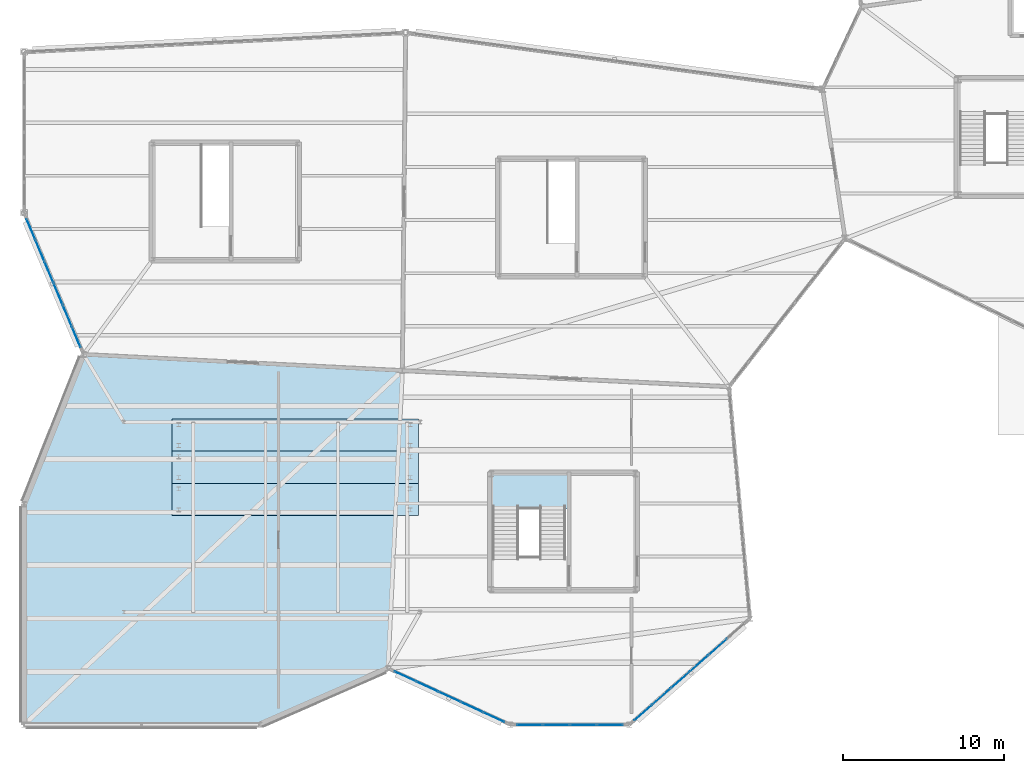
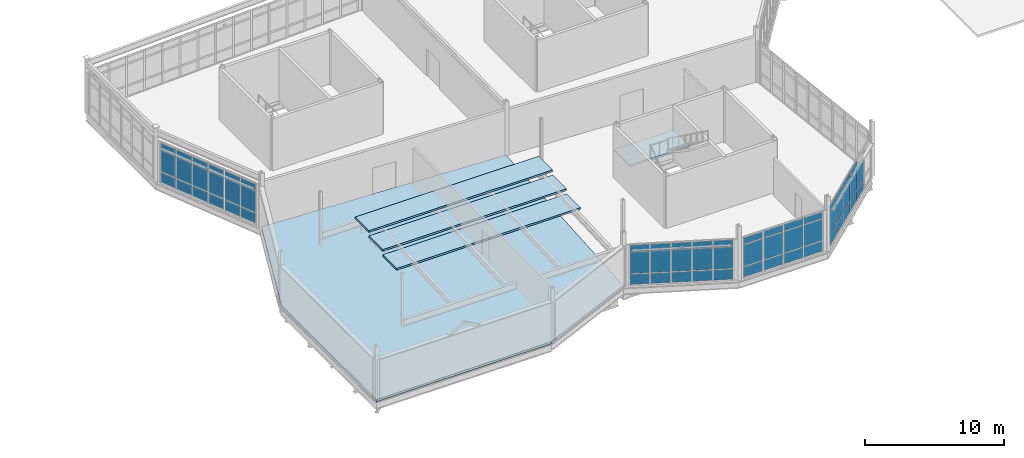
# One storey, part 81 of 134: 59 plates, 5 slabs, 5 elements without a shape of their own.
"""IFC4 building model written with IfcOpenShell, lengths in metres."""

from ifc_helpers import new_model, si_unit, direction, frame, origin, origin_2d, place, context, subcontext, project, spatial, polyline, rectangle, outline, extrude, material, layer, layer_set, type_object, element, aggregate, save


model = new_model("IFC4")

# Units and contexts
model_context = context("Model", 3, precision=1e-05, world=origin(), true_north=direction((0.0, 1.0)))
body_context = subcontext(model_context, "Body", "Model", "MODEL_VIEW")
ifc_project = project(units=[si_unit("LENGTHUNIT", "METRE"), si_unit("AREAUNIT", "SQUARE_METRE"), si_unit("VOLUMEUNIT", "CUBIC_METRE"), si_unit("PLANEANGLEUNIT", "RADIAN"), si_unit("MASSUNIT", "GRAM", prefix="KILO")], contexts=[model_context])

# Site, building, storey
site_placement = place(None, origin())
site = spatial("IfcSite", under=ifc_project, at=site_placement, CompositionType="ELEMENT")
building_placement = place(site_placement, origin())
building = spatial("IfcBuilding", under=site, at=building_placement, Name="Tameran Prism Museum", CompositionType="ELEMENT")
storey_placement = place(building_placement, frame((0.0, 0.0, 5.39990234375)))
storey = spatial("IfcBuildingStorey", under=building, at=storey_placement, Name="L01", CompositionType="ELEMENT", Elevation=5.39990234375)

# Curtain wall, plates
ifc_material_1 = material(Name="Anodised Aluminium 6063-T6 and Cyclone Solar Glass", Category="aluminium")
curtain_wall_type_1 = type_object("IfcCurtainWallType", Name="CW-FAC-670x362", PredefinedType="USERDEFINED", material=ifc_material_1)
curtain_wall_1_placement = place(storey_placement, origin())
curtain_wall_1 = element("IfcCurtainWall", 1, at=curtain_wall_1_placement, inside=storey, type_object=curtain_wall_type_1, Name="Unitised Curtain Wall CW-084", ObjectType="UNITISED CURTAIN WALL", PredefinedType="USERDEFINED")
ifc_material_2 = material(Name="Low-E Laminated Solar Glass", Category="glass")
ifc_layer_1 = layer(ifc_material_2, 0.028076171875)
ifc_layer_set_1 = layer_set([ifc_layer_1])
plate_type_1 = type_object("IfcPlateType", Name="CW-PNL-G28", PredefinedType="CURTAIN_PANEL", material=ifc_layer_set_1)
plate_1_placement = place(storey_placement, frame((36.39501953125, 0.0, 0.070068359375), z_axis=(0.0, 0.0, 1.0), x_axis=(-1.0, 0.0, 0.0)))
plate_1 = element("IfcPlate", 2, at=plate_1_placement, type_object=plate_type_1, Name="CW-084 panel 1.1", PredefinedType="CURTAIN_PANEL", context=body_context, shape_type="SweptSolid", body=[
    extrude(rectangle(XDim=1.570068359375, YDim=0.028076171875, at=origin_2d()), origin(), (0.0, 0.0, 1.0), 0.89501953125),
])
plate_2_placement = place(storey_placement, frame((36.39501953125, 0.0, 1.03515625), z_axis=(0.0, 0.0, 1.0), x_axis=(-1.0, 0.0, 0.0)))
plate_2 = element("IfcPlate", 3, at=plate_2_placement, type_object=plate_type_1, Name="CW-084 panel 1.2", PredefinedType="CURTAIN_PANEL", context=body_context, shape_type="SweptSolid", body=[
    extrude(rectangle(XDim=1.570068359375, YDim=0.028076171875, at=origin_2d()), origin(), (0.0, 0.0, 1.0), 1.8701171875),
])
plate_3_placement = place(storey_placement, frame((36.39501953125, 0.0, 2.97509765625), z_axis=(0.0, 0.0, 1.0), x_axis=(-1.0, 0.0, 0.0)))
plate_3 = element("IfcPlate", 4, at=plate_3_placement, type_object=plate_type_1, Name="CW-084 panel 1.3", PredefinedType="CURTAIN_PANEL", context=body_context, shape_type="SweptSolid", body=[
    extrude(rectangle(XDim=1.570068359375, YDim=0.028076171875, at=origin_2d()), origin(), (0.0, 0.0, 1.0), 0.574951171875),
])
plate_4_placement = place(storey_placement, frame((34.737548828125, 0.0, 0.070068359375), z_axis=(0.0, 0.0, 1.0), x_axis=(-1.0, 0.0, 0.0)))
plate_4 = element("IfcPlate", 5, at=plate_4_placement, type_object=plate_type_1, Name="CW-084 panel 2.1", PredefinedType="CURTAIN_PANEL", context=body_context, shape_type="SweptSolid", body=[
    extrude(rectangle(XDim=1.60498046875, YDim=0.028076171875, at=origin_2d()), origin(), (0.0, 0.0, 1.0), 0.89501953125),
])
plate_5_placement = place(storey_placement, frame((34.737548828125, 0.0, 1.03515625), z_axis=(0.0, 0.0, 1.0), x_axis=(-1.0, 0.0, 0.0)))
plate_5 = element("IfcPlate", 6, at=plate_5_placement, type_object=plate_type_1, Name="CW-084 panel 2.2", PredefinedType="CURTAIN_PANEL", context=body_context, shape_type="SweptSolid", body=[
    extrude(rectangle(XDim=1.60498046875, YDim=0.028076171875, at=origin_2d()), origin(), (0.0, 0.0, 1.0), 1.8701171875),
])
plate_6_placement = place(storey_placement, frame((34.737548828125, 0.0, 2.97509765625), z_axis=(0.0, 0.0, 1.0), x_axis=(-1.0, 0.0, 0.0)))
plate_6 = element("IfcPlate", 7, at=plate_6_placement, type_object=plate_type_1, Name="CW-084 panel 2.3", PredefinedType="CURTAIN_PANEL", context=body_context, shape_type="SweptSolid", body=[
    extrude(rectangle(XDim=1.60498046875, YDim=0.028076171875, at=origin_2d()), origin(), (0.0, 0.0, 1.0), 0.574951171875),
])
plate_7_placement = place(storey_placement, frame((33.0625, 0.0, 0.070068359375), z_axis=(0.0, 0.0, 1.0), x_axis=(-1.0, 0.0, 0.0)))
plate_7 = element("IfcPlate", 8, at=plate_7_placement, type_object=plate_type_1, Name="CW-084 panel 3.1", PredefinedType="CURTAIN_PANEL", context=body_context, shape_type="SweptSolid", body=[
    extrude(rectangle(XDim=1.60498046875, YDim=0.028076171875, at=origin_2d()), origin(), (0.0, 0.0, 1.0), 0.89501953125),
])
plate_8_placement = place(storey_placement, frame((33.0625, 0.0, 1.03515625), z_axis=(0.0, 0.0, 1.0), x_axis=(-1.0, 0.0, 0.0)))
plate_8 = element("IfcPlate", 9, at=plate_8_placement, type_object=plate_type_1, Name="CW-084 panel 3.2", PredefinedType="CURTAIN_PANEL", context=body_context, shape_type="SweptSolid", body=[
    extrude(rectangle(XDim=1.60498046875, YDim=0.028076171875, at=origin_2d()), origin(), (0.0, 0.0, 1.0), 1.8701171875),
])
plate_9_placement = place(storey_placement, frame((33.0625, 0.0, 2.97509765625), z_axis=(0.0, 0.0, 1.0), x_axis=(-1.0, 0.0, 0.0)))
plate_9 = element("IfcPlate", 10, at=plate_9_placement, type_object=plate_type_1, Name="CW-084 panel 3.3", PredefinedType="CURTAIN_PANEL", context=body_context, shape_type="SweptSolid", body=[
    extrude(rectangle(XDim=1.60498046875, YDim=0.028076171875, at=origin_2d()), origin(), (0.0, 0.0, 1.0), 0.574951171875),
])
plate_10_placement = place(storey_placement, frame((31.405029296875, 0.0, 0.070068359375), z_axis=(0.0, 0.0, 1.0), x_axis=(-1.0, 0.0, 0.0)))
plate_10 = element("IfcPlate", 11, at=plate_10_placement, type_object=plate_type_1, Name="CW-084 panel 4.1", PredefinedType="CURTAIN_PANEL", context=body_context, shape_type="SweptSolid", body=[
    extrude(rectangle(XDim=1.570068359375, YDim=0.028076171875, at=origin_2d()), origin(), (0.0, 0.0, 1.0), 0.89501953125),
])
plate_11_placement = place(storey_placement, frame((31.405029296875, 0.0, 1.03515625), z_axis=(0.0, 0.0, 1.0), x_axis=(-1.0, 0.0, 0.0)))
plate_11 = element("IfcPlate", 12, at=plate_11_placement, type_object=plate_type_1, Name="CW-084 panel 4.2", PredefinedType="CURTAIN_PANEL", context=body_context, shape_type="SweptSolid", body=[
    extrude(rectangle(XDim=1.570068359375, YDim=0.028076171875, at=origin_2d()), origin(), (0.0, 0.0, 1.0), 1.8701171875),
])
plate_12_placement = place(storey_placement, frame((31.405029296875, 0.0, 2.97509765625), z_axis=(0.0, 0.0, 1.0), x_axis=(-1.0, 0.0, 0.0)))
plate_12 = element("IfcPlate", 13, at=plate_12_placement, type_object=plate_type_1, Name="CW-084 panel 4.3", PredefinedType="CURTAIN_PANEL", context=body_context, shape_type="SweptSolid", body=[
    extrude(rectangle(XDim=1.570068359375, YDim=0.028076171875, at=origin_2d()), origin(), (0.0, 0.0, 1.0), 0.574951171875),
])
aggregate(curtain_wall_1, [plate_1, plate_2, plate_3, plate_4, plate_5, plate_6, plate_7, plate_8, plate_9, plate_10, plate_11, plate_12])

ifc_material_3 = material(Name="Anodised Aluminium 6063-T6 and Cyclone Solar Glass", Category="aluminium")
curtain_wall_type_2 = type_object("IfcCurtainWallType", Name="CW-FAC-929x362", PredefinedType="USERDEFINED", material=ifc_material_3)
curtain_wall_2_placement = place(storey_placement, origin())
curtain_wall_2 = element("IfcCurtainWall", 14, at=curtain_wall_2_placement, inside=storey, type_object=curtain_wall_type_2, Name="Unitised Curtain Wall CW-085", ObjectType="UNITISED CURTAIN WALL", PredefinedType="USERDEFINED")
plate_13_placement = place(storey_placement, frame((43.093505859375, 4.83447265625, 0.0751953125), z_axis=(0.0, 0.0, 1.0), x_axis=(-0.750666538716, -0.660681275391, 0.0)))
plate_13 = element("IfcPlate", 15, at=plate_13_placement, type_object=plate_type_1, Name="CW-085 panel 2.1", PredefinedType="CURTAIN_PANEL", context=body_context, shape_type="SweptSolid", body=[
    extrude(rectangle(XDim=1.473388671875, YDim=0.028076171875, at=origin_2d()), origin(), (0.0, 0.0, 1.0), 0.887451171875),
])
plate_14_placement = place(storey_placement, frame((43.093505859375, 4.83447265625, 1.03759765625), z_axis=(0.0, 0.0, 1.0), x_axis=(-0.750666538716, -0.660681275391, 0.0)))
plate_14 = element("IfcPlate", 16, at=plate_14_placement, type_object=plate_type_1, Name="CW-085 panel 2.2", PredefinedType="CURTAIN_PANEL", context=body_context, shape_type="SweptSolid", body=[
    extrude(rectangle(XDim=1.473388671875, YDim=0.028076171875, at=origin_2d()), origin(), (0.0, 0.0, 1.0), 1.864990234375),
])
plate_15_placement = place(storey_placement, frame((41.93115234375, 3.8115234375, 0.0751953125), z_axis=(0.0, 0.0, 1.0), x_axis=(-0.750666538716, -0.660681275391, 0.0)))
plate_15 = element("IfcPlate", 17, at=plate_15_placement, type_object=plate_type_1, Name="CW-085 panel 3.1", PredefinedType="CURTAIN_PANEL", context=body_context, shape_type="SweptSolid", body=[
    extrude(rectangle(XDim=1.473388671875, YDim=0.028076171875, at=origin_2d()), origin(), (0.0, 0.0, 1.0), 0.887451171875),
])
plate_16_placement = place(storey_placement, frame((41.93115234375, 3.8115234375, 1.03759765625), z_axis=(0.0, 0.0, 1.0), x_axis=(-0.750666538716, -0.660681275391, 0.0)))
plate_16 = element("IfcPlate", 18, at=plate_16_placement, type_object=plate_type_1, Name="CW-085 panel 3.2", PredefinedType="CURTAIN_PANEL", context=body_context, shape_type="SweptSolid", body=[
    extrude(rectangle(XDim=1.473388671875, YDim=0.028076171875, at=origin_2d()), origin(), (0.0, 0.0, 1.0), 1.864990234375),
])
plate_17_placement = place(storey_placement, frame((41.93115234375, 3.8115234375, 2.9775390625), z_axis=(0.0, 0.0, 1.0), x_axis=(-0.750666538716, -0.660681275391, 0.0)))
plate_17 = element("IfcPlate", 19, at=plate_17_placement, type_object=plate_type_1, Name="CW-085 panel 3.3", PredefinedType="CURTAIN_PANEL", context=body_context, shape_type="SweptSolid", body=[
    extrude(rectangle(XDim=1.473388671875, YDim=0.028076171875, at=origin_2d()), origin(), (0.0, 0.0, 1.0), 0.5673828125),
])
plate_18_placement = place(storey_placement, frame((40.768798828125, 2.78857421875, 0.0751953125), z_axis=(0.0, 0.0, 1.0), x_axis=(-0.750666538716, -0.660681275391, 0.0)))
plate_18 = element("IfcPlate", 20, at=plate_18_placement, type_object=plate_type_1, Name="CW-085 panel 4.1", PredefinedType="CURTAIN_PANEL", context=body_context, shape_type="SweptSolid", body=[
    extrude(rectangle(XDim=1.473388671875, YDim=0.028076171875, at=origin_2d()), origin(), (0.0, 0.0, 1.0), 0.887451171875),
])
plate_19_placement = place(storey_placement, frame((40.768798828125, 2.78857421875, 1.03759765625), z_axis=(0.0, 0.0, 1.0), x_axis=(-0.750666538716, -0.660681275391, 0.0)))
plate_19 = element("IfcPlate", 21, at=plate_19_placement, type_object=plate_type_1, Name="CW-085 panel 4.2", PredefinedType="CURTAIN_PANEL", context=body_context, shape_type="SweptSolid", body=[
    extrude(rectangle(XDim=1.473388671875, YDim=0.028076171875, at=origin_2d()), origin(), (0.0, 0.0, 1.0), 1.864990234375),
])
plate_20_placement = place(storey_placement, frame((40.768798828125, 2.78857421875, 2.9775390625), z_axis=(0.0, 0.0, 1.0), x_axis=(-0.750666538716, -0.660681275391, 0.0)))
plate_20 = element("IfcPlate", 22, at=plate_20_placement, type_object=plate_type_1, Name="CW-085 panel 4.3", PredefinedType="CURTAIN_PANEL", context=body_context, shape_type="SweptSolid", body=[
    extrude(rectangle(XDim=1.473388671875, YDim=0.028076171875, at=origin_2d()), origin(), (0.0, 0.0, 1.0), 0.5673828125),
])
plate_21_placement = place(storey_placement, frame((39.6064453125, 1.765380859375, 0.0751953125), z_axis=(0.0, 0.0, 1.0), x_axis=(-0.750666538716, -0.660681275391, 0.0)))
plate_21 = element("IfcPlate", 23, at=plate_21_placement, type_object=plate_type_1, Name="CW-085 panel 5.1", PredefinedType="CURTAIN_PANEL", context=body_context, shape_type="SweptSolid", body=[
    extrude(rectangle(XDim=1.473388671875, YDim=0.028076171875, at=origin_2d()), origin(), (0.0, 0.0, 1.0), 0.887451171875),
])
plate_22_placement = place(storey_placement, frame((39.6064453125, 1.765380859375, 1.03759765625), z_axis=(0.0, 0.0, 1.0), x_axis=(-0.750666538716, -0.660681275391, 0.0)))
plate_22 = element("IfcPlate", 24, at=plate_22_placement, type_object=plate_type_1, Name="CW-085 panel 5.2", PredefinedType="CURTAIN_PANEL", context=body_context, shape_type="SweptSolid", body=[
    extrude(rectangle(XDim=1.473388671875, YDim=0.028076171875, at=origin_2d()), origin(), (0.0, 0.0, 1.0), 1.864990234375),
])
plate_23_placement = place(storey_placement, frame((39.6064453125, 1.765380859375, 2.9775390625), z_axis=(0.0, 0.0, 1.0), x_axis=(-0.750666538716, -0.660681275391, 0.0)))
plate_23 = element("IfcPlate", 25, at=plate_23_placement, type_object=plate_type_1, Name="CW-085 panel 5.3", PredefinedType="CURTAIN_PANEL", context=body_context, shape_type="SweptSolid", body=[
    extrude(rectangle(XDim=1.473388671875, YDim=0.028076171875, at=origin_2d()), origin(), (0.0, 0.0, 1.0), 0.5673828125),
])
plate_24_placement = place(storey_placement, frame((38.458251953125, 0.7548828125, 0.0751953125), z_axis=(0.0, 0.0, 1.0), x_axis=(-0.750666538716, -0.660681275391, 0.0)))
plate_24 = element("IfcPlate", 26, at=plate_24_placement, type_object=plate_type_1, Name="CW-085 panel 6.1", PredefinedType="CURTAIN_PANEL", context=body_context, shape_type="SweptSolid", body=[
    extrude(rectangle(XDim=1.435791015625, YDim=0.028076171875, at=origin_2d()), origin(), (0.0, 0.0, 1.0), 0.887451171875),
])
plate_25_placement = place(storey_placement, frame((38.458251953125, 0.7548828125, 1.03759765625), z_axis=(0.0, 0.0, 1.0), x_axis=(-0.750666538716, -0.660681275391, 0.0)))
plate_25 = element("IfcPlate", 27, at=plate_25_placement, type_object=plate_type_1, Name="CW-085 panel 6.2", PredefinedType="CURTAIN_PANEL", context=body_context, shape_type="SweptSolid", body=[
    extrude(rectangle(XDim=1.435791015625, YDim=0.028076171875, at=origin_2d()), origin(), (0.0, 0.0, 1.0), 1.864990234375),
])
plate_26_placement = place(storey_placement, frame((38.458251953125, 0.7548828125, 2.9775390625), z_axis=(0.0, 0.0, 1.0), x_axis=(-0.750666538716, -0.660681275391, 0.0)))
plate_26 = element("IfcPlate", 28, at=plate_26_placement, type_object=plate_type_1, Name="CW-085 panel 6.3", PredefinedType="CURTAIN_PANEL", context=body_context, shape_type="SweptSolid", body=[
    extrude(rectangle(XDim=1.435791015625, YDim=0.028076171875, at=origin_2d()), origin(), (0.0, 0.0, 1.0), 0.5673828125),
])
aggregate(curtain_wall_2, [plate_13, plate_14, plate_15, plate_16, plate_17, plate_18, plate_19, plate_20, plate_21, plate_22, plate_23, plate_24, plate_25, plate_26])

ifc_material_4 = material(Name="Anodised Aluminium 6063-T6 and Cyclone Solar Glass", Category="aluminium")
curtain_wall_type_3 = type_object("IfcCurtainWallType", Name="CW-FAC-761x362", PredefinedType="USERDEFINED", material=ifc_material_4)
curtain_wall_3_placement = place(storey_placement, origin())
curtain_wall_3 = element("IfcCurtainWall", 29, at=curtain_wall_3_placement, inside=storey, type_object=curtain_wall_type_3, Name="Unitised Curtain Wall CW-083", ObjectType="UNITISED CURTAIN WALL", PredefinedType="USERDEFINED")
ifc_material_5 = material(Name="Cyclone Laminated Solar Glass", Category="glass")
ifc_layer_2 = layer(ifc_material_5, 0.031982421875)
ifc_layer_set_2 = layer_set([ifc_layer_2])
plate_type_2 = type_object("IfcPlateType", Name="CW-PNL-G32", PredefinedType="CURTAIN_PANEL", material=ifc_layer_set_2)
plate_27_placement = place(storey_placement, frame((29.17626953125, 0.47119140625, 0.06494140625), z_axis=(0.0, 0.0, 1.0), x_axis=(-0.908270749425, 0.418382893697, 0.0)))
plate_27 = element("IfcPlate", 30, at=plate_27_placement, type_object=plate_type_2, Name="CW-083 panel 1.1", PredefinedType="CURTAIN_PANEL", context=body_context, shape_type="SweptSolid", body=[
    extrude(rectangle(XDim=1.424072265625, YDim=0.031982421875, at=origin_2d()), origin(), (0.0, 0.0, 1.0), 0.902587890625),
])
plate_28_placement = place(storey_placement, frame((29.17626953125, 0.47119140625, 1.03271484375), z_axis=(0.0, 0.0, 1.0), x_axis=(-0.908270749425, 0.418382893697, 0.0)))
plate_28 = element("IfcPlate", 31, at=plate_28_placement, type_object=plate_type_2, Name="CW-083 panel 1.2", PredefinedType="CURTAIN_PANEL", context=body_context, shape_type="SweptSolid", body=[
    extrude(rectangle(XDim=1.424072265625, YDim=0.031982421875, at=origin_2d()), origin(), (0.0, 0.0, 1.0), 1.875),
])
plate_29_placement = place(storey_placement, frame((29.17626953125, 0.47119140625, 2.97265625), z_axis=(0.0, 0.0, 1.0), x_axis=(-0.908270749425, 0.418382893697, 0.0)))
plate_29 = element("IfcPlate", 32, at=plate_29_placement, type_object=plate_type_2, Name="CW-083 panel 1.3", PredefinedType="CURTAIN_PANEL", context=body_context, shape_type="SweptSolid", body=[
    extrude(rectangle(XDim=1.424072265625, YDim=0.031982421875, at=origin_2d()), origin(), (0.0, 0.0, 1.0), 0.58251953125),
])
plate_30_placement = place(storey_placement, frame((27.80908203125, 1.100830078125, 0.06494140625), z_axis=(0.0, 0.0, 1.0), x_axis=(-0.908270749425, 0.418382893697, 0.0)))
plate_30 = element("IfcPlate", 33, at=plate_30_placement, type_object=plate_type_2, Name="CW-083 panel 2.1", PredefinedType="CURTAIN_PANEL", context=body_context, shape_type="SweptSolid", body=[
    extrude(rectangle(XDim=1.45654296875, YDim=0.031982421875, at=origin_2d()), origin(), (0.0, 0.0, 1.0), 0.902587890625),
])
plate_31_placement = place(storey_placement, frame((27.80908203125, 1.100830078125, 1.03271484375), z_axis=(0.0, 0.0, 1.0), x_axis=(-0.908270749425, 0.418382893697, 0.0)))
plate_31 = element("IfcPlate", 34, at=plate_31_placement, type_object=plate_type_2, Name="CW-083 panel 2.2", PredefinedType="CURTAIN_PANEL", context=body_context, shape_type="SweptSolid", body=[
    extrude(rectangle(XDim=1.45654296875, YDim=0.031982421875, at=origin_2d()), origin(), (0.0, 0.0, 1.0), 1.875),
])
plate_32_placement = place(storey_placement, frame((27.80908203125, 1.100830078125, 2.97265625), z_axis=(0.0, 0.0, 1.0), x_axis=(-0.908270749425, 0.418382893697, 0.0)))
plate_32 = element("IfcPlate", 35, at=plate_32_placement, type_object=plate_type_2, Name="CW-083 panel 2.3", PredefinedType="CURTAIN_PANEL", context=body_context, shape_type="SweptSolid", body=[
    extrude(rectangle(XDim=1.45654296875, YDim=0.031982421875, at=origin_2d()), origin(), (0.0, 0.0, 1.0), 0.58251953125),
])
plate_33_placement = place(storey_placement, frame((26.427001953125, 1.737548828125, 0.06494140625), z_axis=(0.0, 0.0, 1.0), x_axis=(-0.908270749425, 0.418382893697, 0.0)))
plate_33 = element("IfcPlate", 36, at=plate_33_placement, type_object=plate_type_2, Name="CW-083 panel 3.1", PredefinedType="CURTAIN_PANEL", context=body_context, shape_type="SweptSolid", body=[
    extrude(rectangle(XDim=1.45654296875, YDim=0.031982421875, at=origin_2d()), origin(), (0.0, 0.0, 1.0), 0.902587890625),
])
plate_34_placement = place(storey_placement, frame((26.427001953125, 1.737548828125, 1.03271484375), z_axis=(0.0, 0.0, 1.0), x_axis=(-0.908270749425, 0.418382893697, 0.0)))
plate_34 = element("IfcPlate", 37, at=plate_34_placement, type_object=plate_type_2, Name="CW-083 panel 3.2", PredefinedType="CURTAIN_PANEL", context=body_context, shape_type="SweptSolid", body=[
    extrude(rectangle(XDim=1.45654296875, YDim=0.031982421875, at=origin_2d()), origin(), (0.0, 0.0, 1.0), 1.875),
])
plate_35_placement = place(storey_placement, frame((26.427001953125, 1.737548828125, 2.97265625), z_axis=(0.0, 0.0, 1.0), x_axis=(-0.908270749425, 0.418382893697, 0.0)))
plate_35 = element("IfcPlate", 38, at=plate_35_placement, type_object=plate_type_2, Name="CW-083 panel 3.3", PredefinedType="CURTAIN_PANEL", context=body_context, shape_type="SweptSolid", body=[
    extrude(rectangle(XDim=1.45654296875, YDim=0.031982421875, at=origin_2d()), origin(), (0.0, 0.0, 1.0), 0.58251953125),
])
plate_36_placement = place(storey_placement, frame((25.044921875, 2.3740234375, 0.06494140625), z_axis=(0.0, 0.0, 1.0), x_axis=(-0.908270749425, 0.418382893697, 0.0)))
plate_36 = element("IfcPlate", 39, at=plate_36_placement, type_object=plate_type_2, Name="CW-083 panel 4.1", PredefinedType="CURTAIN_PANEL", context=body_context, shape_type="SweptSolid", body=[
    extrude(rectangle(XDim=1.45654296875, YDim=0.031982421875, at=origin_2d()), origin(), (0.0, 0.0, 1.0), 0.902587890625),
])
plate_37_placement = place(storey_placement, frame((25.044921875, 2.3740234375, 1.03271484375), z_axis=(0.0, 0.0, 1.0), x_axis=(-0.908270749425, 0.418382893697, 0.0)))
plate_37 = element("IfcPlate", 40, at=plate_37_placement, type_object=plate_type_2, Name="CW-083 panel 4.2", PredefinedType="CURTAIN_PANEL", context=body_context, shape_type="SweptSolid", body=[
    extrude(rectangle(XDim=1.45654296875, YDim=0.031982421875, at=origin_2d()), origin(), (0.0, 0.0, 1.0), 1.875),
])
plate_38_placement = place(storey_placement, frame((25.044921875, 2.3740234375, 2.97265625), z_axis=(0.0, 0.0, 1.0), x_axis=(-0.908270749425, 0.418382893697, 0.0)))
plate_38 = element("IfcPlate", 41, at=plate_38_placement, type_object=plate_type_2, Name="CW-083 panel 4.3", PredefinedType="CURTAIN_PANEL", context=body_context, shape_type="SweptSolid", body=[
    extrude(rectangle(XDim=1.45654296875, YDim=0.031982421875, at=origin_2d()), origin(), (0.0, 0.0, 1.0), 0.58251953125),
])
plate_39_placement = place(storey_placement, frame((23.677734375, 3.00390625, 0.06494140625), z_axis=(0.0, 0.0, 1.0), x_axis=(-0.908270749425, 0.418382893697, 0.0)))
plate_39 = element("IfcPlate", 42, at=plate_39_placement, type_object=plate_type_2, Name="CW-083 panel 5.1", PredefinedType="CURTAIN_PANEL", context=body_context, shape_type="SweptSolid", body=[
    extrude(rectangle(XDim=1.424072265625, YDim=0.031982421875, at=origin_2d()), origin(), (0.0, 0.0, 1.0), 0.902587890625),
])
plate_40_placement = place(storey_placement, frame((23.677734375, 3.00390625, 1.03271484375), z_axis=(0.0, 0.0, 1.0), x_axis=(-0.908270749425, 0.418382893697, 0.0)))
plate_40 = element("IfcPlate", 43, at=plate_40_placement, type_object=plate_type_2, Name="CW-083 panel 5.2", PredefinedType="CURTAIN_PANEL", context=body_context, shape_type="SweptSolid", body=[
    extrude(rectangle(XDim=1.424072265625, YDim=0.031982421875, at=origin_2d()), origin(), (0.0, 0.0, 1.0), 1.875),
])
plate_41_placement = place(storey_placement, frame((23.677734375, 3.00390625, 2.97265625), z_axis=(0.0, 0.0, 1.0), x_axis=(-0.908270749425, 0.418382893697, 0.0)))
plate_41 = element("IfcPlate", 44, at=plate_41_placement, type_object=plate_type_2, Name="CW-083 panel 5.3", PredefinedType="CURTAIN_PANEL", context=body_context, shape_type="SweptSolid", body=[
    extrude(rectangle(XDim=1.424072265625, YDim=0.031982421875, at=origin_2d()), origin(), (0.0, 0.0, 1.0), 0.58251953125),
])
aggregate(curtain_wall_3, [plate_27, plate_28, plate_29, plate_30, plate_31, plate_32, plate_33, plate_34, plate_35, plate_36, plate_37, plate_38, plate_39, plate_40, plate_41])

ifc_material_6 = material(Name="Anodised Aluminium 6063-T6 and Cyclone Solar Glass", Category="aluminium")
curtain_wall_type_4 = type_object("IfcCurtainWallType", Name="CW-FAC-879x362", PredefinedType="USERDEFINED", material=ifc_material_6)
curtain_wall_4_placement = place(storey_placement, origin())
curtain_wall_4 = element("IfcCurtainWall", 45, at=curtain_wall_4_placement, inside=storey, type_object=curtain_wall_type_4, Name="Unitised Curtain Wall CW-089", ObjectType="UNITISED CURTAIN WALL", PredefinedType="USERDEFINED")
plate_42_placement = place(storey_placement, frame((3.25, 24.0703125, 0.0751953125), z_axis=(0.0, 0.0, 1.0), x_axis=(-0.387563359353, 0.921843068253, 0.0)))
plate_42 = element("IfcPlate", 46, at=plate_42_placement, type_object=plate_type_2, Name="CW-089 panel 1.1", PredefinedType="CURTAIN_PANEL", context=body_context, shape_type="SweptSolid", body=[
    extrude(rectangle(XDim=1.351806640625, YDim=0.031982421875, at=origin_2d()), origin(), (0.0, 0.0, 1.0), 0.887451171875),
])
plate_43_placement = place(storey_placement, frame((3.25, 24.0703125, 1.03759765625), z_axis=(0.0, 0.0, 1.0), x_axis=(-0.387563359353, 0.921843068253, 0.0)))
plate_43 = element("IfcPlate", 47, at=plate_43_placement, type_object=plate_type_2, Name="CW-089 panel 1.2", PredefinedType="CURTAIN_PANEL", context=body_context, shape_type="SweptSolid", body=[
    extrude(rectangle(XDim=1.351806640625, YDim=0.031982421875, at=origin_2d()), origin(), (0.0, 0.0, 1.0), 1.864990234375),
])
plate_44_placement = place(storey_placement, frame((3.25, 24.0703125, 2.9775390625), z_axis=(0.0, 0.0, 1.0), x_axis=(-0.387563359353, 0.921843068253, 0.0)))
plate_44 = element("IfcPlate", 48, at=plate_44_placement, type_object=plate_type_2, Name="CW-089 panel 1.3", PredefinedType="CURTAIN_PANEL", context=body_context, shape_type="SweptSolid", body=[
    extrude(rectangle(XDim=1.351806640625, YDim=0.031982421875, at=origin_2d()), origin(), (0.0, 0.0, 1.0), 0.5673828125),
])
plate_45_placement = place(storey_placement, frame((2.689697265625, 25.40283203125, 0.0751953125), z_axis=(0.0, 0.0, 1.0), x_axis=(-0.387563359353, 0.921843068253, 0.0)))
plate_45 = element("IfcPlate", 49, at=plate_45_placement, type_object=plate_type_2, Name="CW-089 panel 2.1", PredefinedType="CURTAIN_PANEL", context=body_context, shape_type="SweptSolid", body=[
    extrude(rectangle(XDim=1.38916015625, YDim=0.031982421875, at=origin_2d()), origin(), (0.0, 0.0, 1.0), 0.887451171875),
])
plate_46_placement = place(storey_placement, frame((2.689697265625, 25.40283203125, 1.03759765625), z_axis=(0.0, 0.0, 1.0), x_axis=(-0.387563359353, 0.921843068253, 0.0)))
plate_46 = element("IfcPlate", 50, at=plate_46_placement, type_object=plate_type_2, Name="CW-089 panel 2.2", PredefinedType="CURTAIN_PANEL", context=body_context, shape_type="SweptSolid", body=[
    extrude(rectangle(XDim=1.38916015625, YDim=0.031982421875, at=origin_2d()), origin(), (0.0, 0.0, 1.0), 1.864990234375),
])
plate_47_placement = place(storey_placement, frame((2.689697265625, 25.40283203125, 2.9775390625), z_axis=(0.0, 0.0, 1.0), x_axis=(-0.387563359353, 0.921843068253, 0.0)))
plate_47 = element("IfcPlate", 51, at=plate_47_placement, type_object=plate_type_2, Name="CW-089 panel 2.3", PredefinedType="CURTAIN_PANEL", context=body_context, shape_type="SweptSolid", body=[
    extrude(rectangle(XDim=1.38916015625, YDim=0.031982421875, at=origin_2d()), origin(), (0.0, 0.0, 1.0), 0.5673828125),
])
plate_48_placement = place(storey_placement, frame((2.122314453125, 26.752685546875, 0.0751953125), z_axis=(0.0, 0.0, 1.0), x_axis=(-0.387563359353, 0.921843068253, 0.0)))
plate_48 = element("IfcPlate", 52, at=plate_48_placement, type_object=plate_type_2, Name="CW-089 panel 3.1", PredefinedType="CURTAIN_PANEL", context=body_context, shape_type="SweptSolid", body=[
    extrude(rectangle(XDim=1.38916015625, YDim=0.031982421875, at=origin_2d()), origin(), (0.0, 0.0, 1.0), 0.887451171875),
])
plate_49_placement = place(storey_placement, frame((2.122314453125, 26.752685546875, 1.03759765625), z_axis=(0.0, 0.0, 1.0), x_axis=(-0.387563359353, 0.921843068253, 0.0)))
plate_49 = element("IfcPlate", 53, at=plate_49_placement, type_object=plate_type_2, Name="CW-089 panel 3.2", PredefinedType="CURTAIN_PANEL", context=body_context, shape_type="SweptSolid", body=[
    extrude(rectangle(XDim=1.38916015625, YDim=0.031982421875, at=origin_2d()), origin(), (0.0, 0.0, 1.0), 1.864990234375),
])
plate_50_placement = place(storey_placement, frame((2.122314453125, 26.752685546875, 2.9775390625), z_axis=(0.0, 0.0, 1.0), x_axis=(-0.387563359353, 0.921843068253, 0.0)))
plate_50 = element("IfcPlate", 54, at=plate_50_placement, type_object=plate_type_2, Name="CW-089 panel 3.3", PredefinedType="CURTAIN_PANEL", context=body_context, shape_type="SweptSolid", body=[
    extrude(rectangle(XDim=1.38916015625, YDim=0.031982421875, at=origin_2d()), origin(), (0.0, 0.0, 1.0), 0.5673828125),
])
plate_51_placement = place(storey_placement, frame((1.5546875, 28.102294921875, 0.0751953125), z_axis=(0.0, 0.0, 1.0), x_axis=(-0.387563359353, 0.921843068253, 0.0)))
plate_51 = element("IfcPlate", 55, at=plate_51_placement, type_object=plate_type_2, Name="CW-089 panel 4.1", PredefinedType="CURTAIN_PANEL", context=body_context, shape_type="SweptSolid", body=[
    extrude(rectangle(XDim=1.38916015625, YDim=0.031982421875, at=origin_2d()), origin(), (0.0, 0.0, 1.0), 0.887451171875),
])
plate_52_placement = place(storey_placement, frame((1.5546875, 28.102294921875, 1.03759765625), z_axis=(0.0, 0.0, 1.0), x_axis=(-0.387563359353, 0.921843068253, 0.0)))
plate_52 = element("IfcPlate", 56, at=plate_52_placement, type_object=plate_type_2, Name="CW-089 panel 4.2", PredefinedType="CURTAIN_PANEL", context=body_context, shape_type="SweptSolid", body=[
    extrude(rectangle(XDim=1.38916015625, YDim=0.031982421875, at=origin_2d()), origin(), (0.0, 0.0, 1.0), 1.864990234375),
])
plate_53_placement = place(storey_placement, frame((1.5546875, 28.102294921875, 2.9775390625), z_axis=(0.0, 0.0, 1.0), x_axis=(-0.387563359353, 0.921843068253, 0.0)))
plate_53 = element("IfcPlate", 57, at=plate_53_placement, type_object=plate_type_2, Name="CW-089 panel 4.3", PredefinedType="CURTAIN_PANEL", context=body_context, shape_type="SweptSolid", body=[
    extrude(rectangle(XDim=1.38916015625, YDim=0.031982421875, at=origin_2d()), origin(), (0.0, 0.0, 1.0), 0.5673828125),
])
plate_54_placement = place(storey_placement, frame((0.9873046875, 29.4521484375, 0.0751953125), z_axis=(0.0, 0.0, 1.0), x_axis=(-0.387563359353, 0.921843068253, 0.0)))
plate_54 = element("IfcPlate", 58, at=plate_54_placement, type_object=plate_type_2, Name="CW-089 panel 5.1", PredefinedType="CURTAIN_PANEL", context=body_context, shape_type="SweptSolid", body=[
    extrude(rectangle(XDim=1.38916015625, YDim=0.031982421875, at=origin_2d()), origin(), (0.0, 0.0, 1.0), 0.887451171875),
])
plate_55_placement = place(storey_placement, frame((0.9873046875, 29.4521484375, 1.03759765625), z_axis=(0.0, 0.0, 1.0), x_axis=(-0.387563359353, 0.921843068253, 0.0)))
plate_55 = element("IfcPlate", 59, at=plate_55_placement, type_object=plate_type_2, Name="CW-089 panel 5.2", PredefinedType="CURTAIN_PANEL", context=body_context, shape_type="SweptSolid", body=[
    extrude(rectangle(XDim=1.38916015625, YDim=0.031982421875, at=origin_2d()), origin(), (0.0, 0.0, 1.0), 1.864990234375),
])
plate_56_placement = place(storey_placement, frame((0.9873046875, 29.4521484375, 2.9775390625), z_axis=(0.0, 0.0, 1.0), x_axis=(-0.387563359353, 0.921843068253, 0.0)))
plate_56 = element("IfcPlate", 60, at=plate_56_placement, type_object=plate_type_2, Name="CW-089 panel 5.3", PredefinedType="CURTAIN_PANEL", context=body_context, shape_type="SweptSolid", body=[
    extrude(rectangle(XDim=1.38916015625, YDim=0.031982421875, at=origin_2d()), origin(), (0.0, 0.0, 1.0), 0.5673828125),
])
plate_57_placement = place(storey_placement, frame((0.427001953125, 30.784912109375, 0.0751953125), z_axis=(0.0, 0.0, 1.0), x_axis=(-0.387563359353, 0.921843068253, 0.0)))
plate_57 = element("IfcPlate", 61, at=plate_57_placement, type_object=plate_type_2, Name="CW-089 panel 6.1", PredefinedType="CURTAIN_PANEL", context=body_context, shape_type="SweptSolid", body=[
    extrude(rectangle(XDim=1.351806640625, YDim=0.031982421875, at=origin_2d()), origin(), (0.0, 0.0, 1.0), 0.887451171875),
])
plate_58_placement = place(storey_placement, frame((0.427001953125, 30.784912109375, 1.03759765625), z_axis=(0.0, 0.0, 1.0), x_axis=(-0.387563359353, 0.921843068253, 0.0)))
plate_58 = element("IfcPlate", 62, at=plate_58_placement, type_object=plate_type_2, Name="CW-089 panel 6.2", PredefinedType="CURTAIN_PANEL", context=body_context, shape_type="SweptSolid", body=[
    extrude(rectangle(XDim=1.351806640625, YDim=0.031982421875, at=origin_2d()), origin(), (0.0, 0.0, 1.0), 1.864990234375),
])
plate_59_placement = place(storey_placement, frame((0.427001953125, 30.784912109375, 2.9775390625), z_axis=(0.0, 0.0, 1.0), x_axis=(-0.387563359353, 0.921843068253, 0.0)))
plate_59 = element("IfcPlate", 63, at=plate_59_placement, type_object=plate_type_2, Name="CW-089 panel 6.3", PredefinedType="CURTAIN_PANEL", context=body_context, shape_type="SweptSolid", body=[
    extrude(rectangle(XDim=1.351806640625, YDim=0.031982421875, at=origin_2d()), origin(), (0.0, 0.0, 1.0), 0.5673828125),
])
aggregate(curtain_wall_4, [plate_42, plate_43, plate_44, plate_45, plate_46, plate_47, plate_48, plate_49, plate_50, plate_51, plate_52, plate_53, plate_54, plate_55, plate_56, plate_57, plate_58, plate_59])

# Slab
ifc_material_7 = material(Name="Concrete N32 (32 MPa)", Category="concrete")
ifc_layer_3 = layer(ifc_material_7, 0.199951171875)
ifc_layer_set_3 = layer_set([ifc_layer_3])
slab_type_1 = type_object("IfcSlabType", Name="SL-FLR-200", PredefinedType="FLOOR", material=ifc_layer_set_3)
slab_1_placement = place(storey_placement, frame((0.0, 0.0, -0.199951171875)))
element("IfcSlab", 64, at=slab_1_placement, inside=storey, type_object=slab_type_1, Name="Floor Slab FS-P11-L01", PredefinedType="FLOOR", context=body_context, shape_type="SweptSolid", body=[
    extrude(outline(polyline([(23.5, 22.0), (3.699951171875, 23.0), (0.0, 13.699951171875), (0.0, 0.0), (14.60009765625, 0.0), (22.60009765625, 3.5), (23.5, 22.0)])), origin(), (0.0, 0.0, 1.0), 0.199951171875),
])

# Stair, slab
ifc_material_8 = material(Name="Concrete N40 (40 MPa)", Category="concrete")
stair_type = type_object("IfcStairType", Name="ST-CORE-48", PredefinedType="HALF_TURN_STAIR", material=ifc_material_8)
stair_placement = place(storey_placement, origin())
stair = element("IfcStair", 65, at=stair_placement, inside=storey, type_object=stair_type, Name="Fire-Isolated Stair ST-06-L01", PredefinedType="HALF_TURN_STAIR")
ifc_material_9 = material(Name="Concrete N40 (40 MPa)", Category="concrete")
ifc_layer_4 = layer(ifc_material_9, 0.18505859375)
ifc_layer_set_4 = layer_set([ifc_layer_4])
slab_type_2 = type_object("IfcSlabType", Name="SL-LND-185", PredefinedType="LANDING", material=ifc_layer_set_4)
slab_2_placement = place(storey_placement, frame((0.0, 0.0, 2.215087890625)))
slab_2 = element("IfcSlab", 66, at=slab_2_placement, type_object=slab_type_2, Name="ST-06-L01 landing 1", PredefinedType="LANDING", context=body_context, shape_type="SweptSolid", body=[
    extrude(outline(polyline([(28.8798828125, 13.4150390625), (33.8701171875, 13.4150390625), (33.8701171875, 15.719970703125), (28.8798828125, 15.719970703125), (28.8798828125, 13.4150390625)])), origin(), (0.0, 0.0, 1.0), 0.18505859375),
])
aggregate(stair, [slab_2])

# Slabs
ifc_material_10 = material(Name="Concrete N32 (32 MPa)", Category="concrete")
ifc_layer_5 = layer(ifc_material_10, 0.155029296875)
ifc_layer_set_5 = layer_set([ifc_layer_5])
slab_type_3 = type_object("IfcSlabType", Name="SL-TIER-155", PredefinedType="USERDEFINED", material=ifc_layer_set_5)
slab_3_placement = place(storey_placement, frame((0.0, 0.0, 0.295166015625)))
element("IfcSlab", 67, at=slab_3_placement, inside=storey, type_object=slab_type_3, Name="Auditorium Balcony Tier 1", ObjectType="SEATING TIER", PredefinedType="USERDEFINED", context=body_context, shape_type="SweptSolid", body=[
    extrude(outline(polyline([(9.199951171875, 13.0), (24.5, 13.0), (24.5, 15.0), (9.199951171875, 15.0), (9.199951171875, 13.0)])), origin(), (0.0, 0.0, 1.0), 0.155029296875),
])
slab_4_placement = place(storey_placement, frame((0.0, 0.0, 0.7451171875)))
element("IfcSlab", 68, at=slab_4_placement, inside=storey, type_object=slab_type_3, Name="Auditorium Balcony Tier 2", ObjectType="SEATING TIER", PredefinedType="USERDEFINED", context=body_context, shape_type="SweptSolid", body=[
    extrude(outline(polyline([(9.199951171875, 15.0), (24.5, 15.0), (24.5, 17.0), (9.199951171875, 17.0), (9.199951171875, 15.0)])), origin(), (0.0, 0.0, 1.0), 0.155029296875),
])
slab_5_placement = place(storey_placement, frame((0.0, 0.0, 1.195068359375)))
element("IfcSlab", 69, at=slab_5_placement, inside=storey, type_object=slab_type_3, Name="Auditorium Balcony Tier 3", ObjectType="SEATING TIER", PredefinedType="USERDEFINED", context=body_context, shape_type="SweptSolid", body=[
    extrude(outline(polyline([(9.199951171875, 17.0), (24.5, 17.0), (24.5, 19.0), (9.199951171875, 19.0), (9.199951171875, 17.0)])), origin(), (0.0, 0.0, 1.0), 0.155029296875),
])

save(model, "model.ifc")
